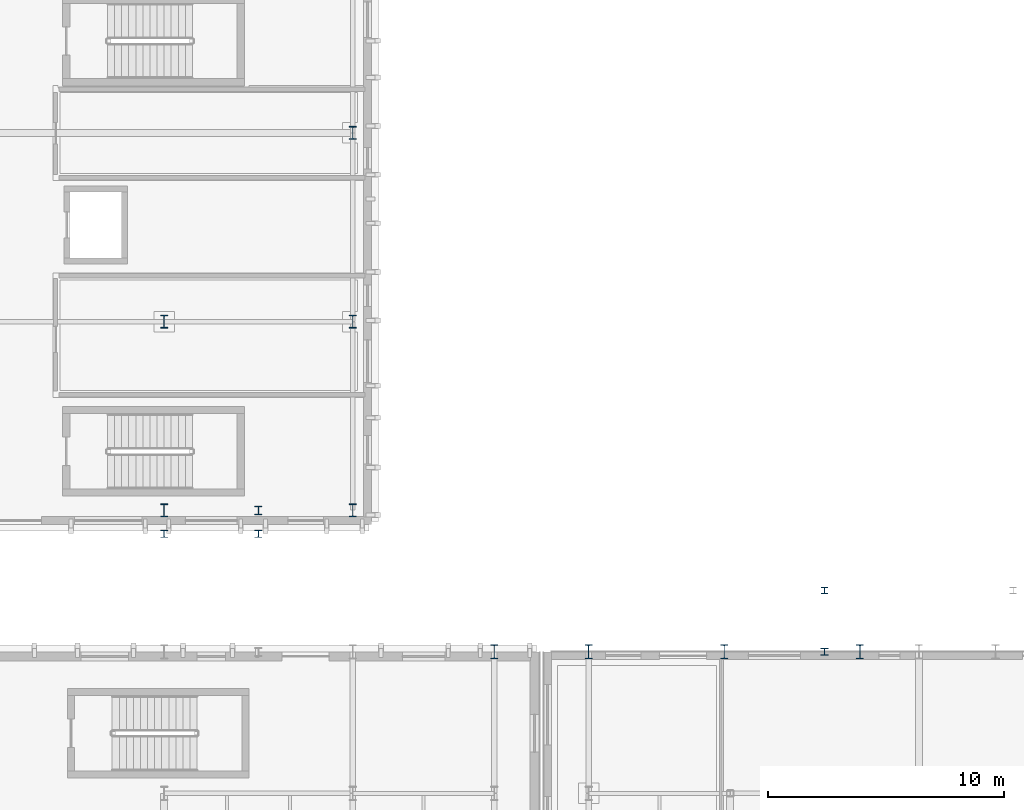
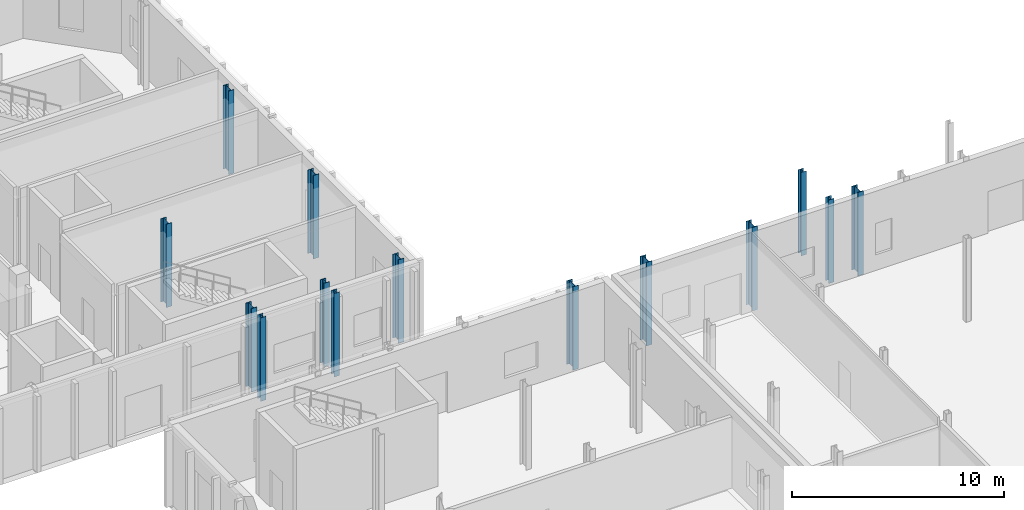
# One storey, part 4 of 60: 14 columns.
"""IFC4 building model written with IfcOpenShell, lengths in metres."""

from ifc_helpers import new_model, si_unit, direction, frame, origin, origin_2d, place, context, subcontext, project, spatial, i_section, extrude, material, material_profile, profile_set, type_object, element, save


model = new_model("IFC4")

# Units and contexts
model_context = context("Model", 3, precision=1e-05, world=origin(), true_north=direction((0.0, 1.0)))
body_context = subcontext(model_context, "Body", "Model", "MODEL_VIEW")
ifc_project = project(units=[si_unit("LENGTHUNIT", "METRE"), si_unit("AREAUNIT", "SQUARE_METRE"), si_unit("VOLUMEUNIT", "CUBIC_METRE"), si_unit("PLANEANGLEUNIT", "RADIAN"), si_unit("MASSUNIT", "GRAM", prefix="KILO")], contexts=[model_context])

# Site, building, storey
site_placement = place(None, origin())
site = spatial("IfcSite", under=ifc_project, at=site_placement, CompositionType="ELEMENT")
building_placement = place(site_placement, origin())
building = spatial("IfcBuilding", under=site, at=building_placement, Name="Cymarion Research Institute", CompositionType="ELEMENT")
storey_placement = place(building_placement, origin())
storey = spatial("IfcBuildingStorey", under=building, at=storey_placement, Name="L00", CompositionType="ELEMENT", Elevation=0.0)

# Columns
ifc_material = material(Name="Steel S355", Category="steel")
ifc_material_profile_1 = material_profile(ifc_material, i_section(OverallWidth=0.300048828125, OverallDepth=0.60009765625, WebThickness=0.015380859375, FlangeThickness=0.030029296875, FilletRadius=0.027099609375, at=origin_2d()), Name="HEB 600")
ifc_profile_set_1 = profile_set([ifc_material_profile_1], Name="Steel S355")
column_type_1 = type_object("IfcColumnType", Name="STRUCTURAL COLUMN C02 HEB 600", PredefinedType="COLUMN", material=ifc_profile_set_1)
for number, where, z_axis, x_axis, name in (
    (1, (52.60009765625, 41.5, 0.0), (0.0, 0.0, 1.0), (1.0, 0.0, 0.0), "L00 V3 column C02 #340"),
    (2, (56.60009765625, 41.5, 0.0), (0.0, 0.0, 1.0), (1.0, 0.0, 0.0), "L00 V2 column C02 #347"),
    (3, (62.35009765625, 41.5, 0.0), (0.0, 0.0, 1.0), (1.0, 0.0, 0.0), "L00 V2 column C02 #349"),
    (4, (68.10009765625, 41.5, 0.0), (0.0, 0.0, 1.0), (1.0, 0.0, 0.0), "L00 V2 column C02 #359"),
):
    element("IfcColumn", number, at=place(storey_placement, frame(where, z_axis=z_axis, x_axis=x_axis)), inside=storey, type_object=column_type_1, Name=name, PredefinedType="COLUMN", context=body_context, shape_type="SweptSolid", body=[
        extrude(i_section(OverallWidth=0.300048828125, OverallDepth=0.60009765625, WebThickness=0.015380859375, FlangeThickness=0.030029296875, FilletRadius=0.027099609375, at=origin_2d()), origin(), (0.0, 0.0, 1.0), 4.800048828125),
    ])
ifc_material_profile_2 = material_profile(ifc_material, i_section(OverallWidth=0.300048828125, OverallDepth=0.550048828125, WebThickness=0.014892578125, FlangeThickness=0.029052734375, FilletRadius=0.027099609375, at=origin_2d()), Name="HEB 550")
ifc_profile_set_2 = profile_set([ifc_material_profile_2], Name="Steel S355")
column_type_2 = type_object("IfcColumnType", Name="STRUCTURAL COLUMN C03 HEB 550", PredefinedType="COLUMN", material=ifc_profile_set_2)
for number, where, z_axis, x_axis, name in (
    (5, (38.60009765625, 47.5, 0.0), (0.0, 0.0, 1.0), (1.0, 0.0, 0.0), "L00 V4 column C03 #306"),
    (6, (38.60009765625, 55.5, 0.0), (0.0, 0.0, 1.0), (1.0, 0.0, 0.0), "L00 V4 column C03 #307"),
    (7, (46.60009765625, 47.5, 0.0), (0.0, 0.0, 1.0), (1.0, 0.0, 0.0), "L00 V4 column C03 #325"),
    (8, (46.60009765625, 55.5, 0.0), (0.0, 0.0, 1.0), (1.0, 0.0, 0.0), "L00 V4 column C03 #326"),
    (9, (46.60009765625, 63.5, 0.0), (0.0, 0.0, 1.0), (1.0, 0.0, 0.0), "L00 V4 column C03 #327"),
):
    element("IfcColumn", number, at=place(storey_placement, frame(where, z_axis=z_axis, x_axis=x_axis)), inside=storey, type_object=column_type_2, Name=name, PredefinedType="COLUMN", context=body_context, shape_type="SweptSolid", body=[
        extrude(i_section(OverallWidth=0.300048828125, OverallDepth=0.550048828125, WebThickness=0.014892578125, FlangeThickness=0.029052734375, FilletRadius=0.027099609375, at=origin_2d()), origin(), (0.0, 0.0, 1.0), 4.800048828125),
    ])
ifc_material_profile_3 = material_profile(ifc_material, i_section(OverallWidth=0.300048828125, OverallDepth=0.360107421875, WebThickness=0.012451171875, FlangeThickness=0.0224609375, FilletRadius=0.027099609375, at=origin_2d()), Name="HEB 360")
ifc_profile_set_3 = profile_set([ifc_material_profile_3], Name="Steel S355")
column_type_3 = type_object("IfcColumnType", Name="STRUCTURAL COLUMN C07 HEB 360", PredefinedType="COLUMN", material=ifc_profile_set_3)
column_1_placement = place(storey_placement, frame((42.60009765625, 47.5, 0.0), z_axis=(0.0, 0.0, 1.0), x_axis=(1.0, 0.0, 0.0)))
element("IfcColumn", 10, at=column_1_placement, inside=storey, type_object=column_type_3, Name="L00 V4 column C07 #319", PredefinedType="COLUMN", context=body_context, shape_type="SweptSolid", body=[
    extrude(i_section(OverallWidth=0.300048828125, OverallDepth=0.360107421875, WebThickness=0.012451171875, FlangeThickness=0.0224609375, FilletRadius=0.027099609375, at=origin_2d()), origin(), (0.0, 0.0, 1.0), 4.800048828125),
])
ifc_material_profile_4 = material_profile(ifc_material, i_section(OverallWidth=0.300048828125, OverallDepth=0.300048828125, WebThickness=0.010986328125, FlangeThickness=0.01904296875, FilletRadius=0.027099609375, at=origin_2d()), Name="HEB 300")
ifc_profile_set_4 = profile_set([ifc_material_profile_4], Name="Steel S355")
column_type_4 = type_object("IfcColumnType", Name="STRUCTURAL COLUMN C08 HEB 300", PredefinedType="COLUMN", material=ifc_profile_set_4)
for number, where, z_axis, x_axis, name in (
    (11, (38.60009765625, 46.5, 0.0), (0.0, 0.0, 1.0), (1.0, 0.0, 0.0), "L00 V3 column C08 #305"),
    (12, (42.60009765625, 46.5, 0.0), (0.0, 0.0, 1.0), (1.0, 0.0, 0.0), "L00 V3 column C08 #318"),
    (13, (66.60009765625, 41.5, 0.0), (0.0, 0.0, 1.0), (1.0, 0.0, 0.0), "L00 V2 column C08 #356"),
):
    element("IfcColumn", number, at=place(storey_placement, frame(where, z_axis=z_axis, x_axis=x_axis)), inside=storey, type_object=column_type_4, Name=name, PredefinedType="COLUMN", context=body_context, shape_type="SweptSolid", body=[
        extrude(i_section(OverallWidth=0.300048828125, OverallDepth=0.300048828125, WebThickness=0.010986328125, FlangeThickness=0.01904296875, FilletRadius=0.027099609375, at=origin_2d()), origin(), (0.0, 0.0, 1.0), 4.800048828125),
    ])
ifc_material_profile_5 = material_profile(ifc_material, i_section(OverallWidth=0.280029296875, OverallDepth=0.280029296875, WebThickness=0.010498046875, FlangeThickness=0.01806640625, FilletRadius=0.02392578125, at=origin_2d()), Name="HEB 280")
ifc_profile_set_5 = profile_set([ifc_material_profile_5], Name="Steel S355")
column_type_5 = type_object("IfcColumnType", Name="STRUCTURAL COLUMN C09 HEB 280", PredefinedType="COLUMN", material=ifc_profile_set_5)
column_2_placement = place(storey_placement, frame((66.60009765625, 44.10009765625, 0.0), z_axis=(0.0, 0.0, 1.0), x_axis=(1.0, 0.0, 0.0)))
element("IfcColumn", 14, at=column_2_placement, inside=storey, type_object=column_type_5, Name="L00 V2 column C09 #357", PredefinedType="COLUMN", context=body_context, shape_type="SweptSolid", body=[
    extrude(i_section(OverallWidth=0.280029296875, OverallDepth=0.280029296875, WebThickness=0.010498046875, FlangeThickness=0.01806640625, FilletRadius=0.02392578125, at=origin_2d()), origin(), (0.0, 0.0, 1.0), 4.800048828125),
])

save(model, "model.ifc")
